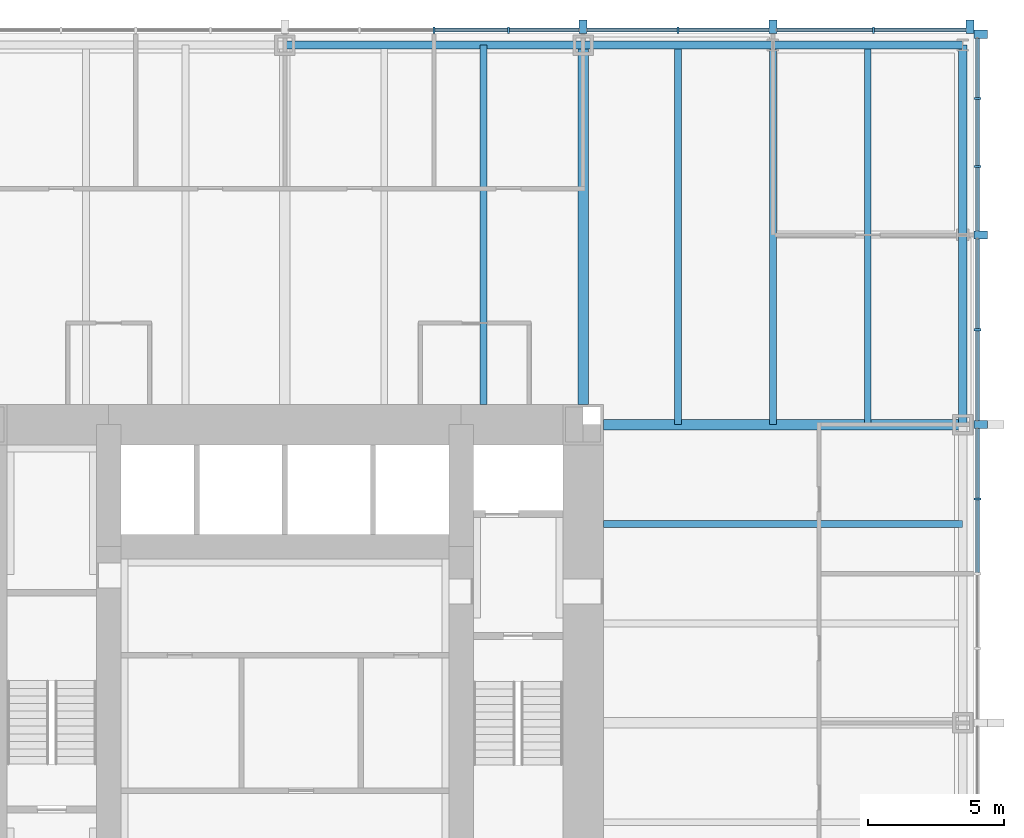
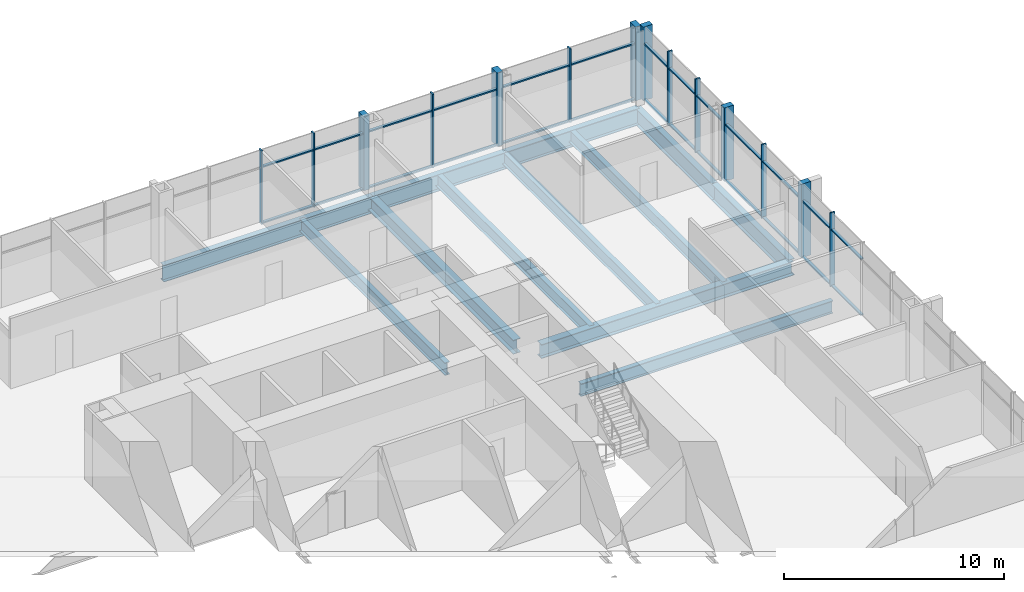
# One storey, part 6 of 12: 40 members, 12 beams, 2 elements without a shape of their own.
"""IFC4 building model written with IfcOpenShell, lengths in metres."""

from ifc_helpers import new_model, si_unit, direction, frame, origin, origin_2d, place, context, subcontext, project, spatial, rectangle, i_section, extrude, material, material_profile, profile_set, type_object, element, aggregate, save


model = new_model("IFC4")

# Units and contexts
model_context = context("Model", 3, precision=1e-05, world=origin(), true_north=direction((0.0, 1.0)))
body_context = subcontext(model_context, "Body", "Model", "MODEL_VIEW")
ifc_project = project(units=[si_unit("LENGTHUNIT", "METRE"), si_unit("AREAUNIT", "SQUARE_METRE"), si_unit("VOLUMEUNIT", "CUBIC_METRE"), si_unit("PLANEANGLEUNIT", "RADIAN"), si_unit("MASSUNIT", "GRAM", prefix="KILO")], contexts=[model_context])

# Site, building, storey
site_placement = place(None, origin())
site = spatial("IfcSite", under=ifc_project, at=site_placement, CompositionType="ELEMENT")
building_placement = place(site_placement, origin())
building = spatial("IfcBuilding", under=site, at=building_placement, Name="Trevanion Tower", CompositionType="ELEMENT")
storey_placement = place(building_placement, frame((0.0, 0.0, 73.39990234375)))
storey = spatial("IfcBuildingStorey", under=building, at=storey_placement, Name="L17", CompositionType="ELEMENT", Elevation=73.39990234375)

# Beams
ifc_material_1 = material(Name="Steel ASTM A992 Grade 50", Category="steel")
ifc_material_profile_1 = material_profile(ifc_material_1, i_section(OverallWidth=0.25390625, OverallDepth=0.700927734375, WebThickness=0.015380859375, FlangeThickness=0.02783203125, at=origin_2d()), Name="W27X129")
ifc_profile_set_1 = profile_set([ifc_material_profile_1], Name="Steel ASTM A992 Grade 50")
beam_type_1 = type_object("IfcBeamType", Name="B3 W27X129", PredefinedType="BEAM", material=ifc_profile_set_1)
for number, where, z_axis, x_axis, name in (
    (1, (11.75, 7.333251953125, -0.540283203125), (1.0, 0.0, 0.0), (0.0, 1.0, 0.0), "B3 L17"),
    (2, (7.333251953125, 11.75, -0.540283203125), (0.0, 1.0, 0.0), (-1.0, 0.0, 0.0), "B3 L17"),
):
    element("IfcBeam", number, at=place(storey_placement, frame(where, z_axis=z_axis, x_axis=x_axis)), inside=storey, type_object=beam_type_1, Name=name, PredefinedType="BEAM", context=body_context, shape_type="SweptSolid", body=[
        extrude(i_section(OverallWidth=0.25390625, OverallDepth=0.700927734375, WebThickness=0.015380859375, FlangeThickness=0.02783203125, at=origin_2d()), origin(), (0.0, 0.0, 1.0), 13.25),
    ])
ifc_material_2 = material(Name="Steel ASTM A992 Grade 50", Category="steel")
ifc_material_profile_2 = material_profile(ifc_material_2, i_section(OverallWidth=0.256591796875, OverallDepth=0.693359375, WebThickness=0.014404296875, FlangeThickness=0.023681640625, at=origin_2d()), Name="W27X114")
ifc_profile_set_2 = profile_set([ifc_material_profile_2], Name="Steel ASTM A992 Grade 50")
beam_type_2 = type_object("IfcBeamType", Name="B4 W27X114", PredefinedType="BEAM", material=ifc_profile_set_2)
for number, where, z_axis, x_axis, name in (
    (3, (14.5, 11.0, -0.53662109375), (0.0, 1.0, 0.0), (-1.0, 0.0, 0.0), "B4 L17"),
    (4, (18.0, 11.0, -0.53662109375), (0.0, 1.0, 0.0), (-1.0, 0.0, 0.0), "B4 L17"),
    (5, (21.5, 11.0, -0.53662109375), (0.0, 1.0, 0.0), (-1.0, 0.0, 0.0), "B4 L17"),
):
    element("IfcBeam", number, at=place(storey_placement, frame(where, z_axis=z_axis, x_axis=x_axis)), inside=storey, type_object=beam_type_2, Name=name, PredefinedType="BEAM", context=body_context, shape_type="SweptSolid", body=[
        extrude(i_section(OverallWidth=0.256591796875, OverallDepth=0.693359375, WebThickness=0.014404296875, FlangeThickness=0.023681640625, at=origin_2d()), origin(), (0.0, 0.0, 1.0), 14.0),
    ])

# Curtain wall, members
ifc_material_3 = material(Name="Aluminium and glass", Category="aluminium")
curtain_wall_type = type_object("IfcCurtainWallType", Name="CW1 curtain wall", PredefinedType="USERDEFINED", material=ifc_material_3)
curtain_wall_1_placement = place(storey_placement, origin())
curtain_wall_1 = element("IfcCurtainWall", 6, at=curtain_wall_1_placement, inside=storey, type_object=curtain_wall_type, Name="CW1 L17 0", ObjectType="UNITISED CURTAIN WALL", PredefinedType="USERDEFINED")
ifc_material_4 = material(Name="Aluminium extrusion, anodised bronze", Category="aluminium")
ifc_material_profile_3 = material_profile(ifc_material_4, rectangle(XDim=0.074951171875, YDim=0.25, at=origin_2d()), Name="CW1 mullion")
ifc_profile_set_3 = profile_set([ifc_material_profile_3], Name="Aluminium extrusion, anodised bronze")
member_type_1 = type_object("IfcMemberType", Name="CW1 mullion", PredefinedType="MULLION", material=ifc_profile_set_3)
member_1_placement = place(storey_placement, frame((25.550048828125, 8.25, -0.18994140625), z_axis=(0.0, 0.0, 1.0), x_axis=(0.0, 1.0, 0.0)))
member_1 = element("IfcMember", 7, at=member_1_placement, type_object=member_type_1, Name="CW1 mullion 12", PredefinedType="MULLION", context=body_context, shape_type="SweptSolid", body=[
    extrude(rectangle(XDim=0.074951171875, YDim=0.25, at=origin_2d()), origin(), (0.0, 0.0, 1.0), 4.10009765625),
])
member_2_placement = place(storey_placement, frame((25.550048828125, 14.5, -0.18994140625), z_axis=(0.0, 0.0, 1.0), x_axis=(0.0, 1.0, 0.0)))
member_2 = element("IfcMember", 8, at=member_2_placement, type_object=member_type_1, Name="CW1 mullion 14", PredefinedType="MULLION", context=body_context, shape_type="SweptSolid", body=[
    extrude(rectangle(XDim=0.074951171875, YDim=0.25, at=origin_2d()), origin(), (0.0, 0.0, 1.0), 4.10009765625),
])
member_3_placement = place(storey_placement, frame((25.550048828125, 20.5166015625, -0.18994140625), z_axis=(0.0, 0.0, 1.0), x_axis=(0.0, 1.0, 0.0)))
member_3 = element("IfcMember", 9, at=member_3_placement, type_object=member_type_1, Name="CW1 mullion 16", PredefinedType="MULLION", context=body_context, shape_type="SweptSolid", body=[
    extrude(rectangle(XDim=0.074951171875, YDim=0.25, at=origin_2d()), origin(), (0.0, 0.0, 1.0), 4.10009765625),
])
member_4_placement = place(storey_placement, frame((25.550048828125, 23.033203125, -0.18994140625), z_axis=(0.0, 0.0, 1.0), x_axis=(0.0, 1.0, 0.0)))
member_4 = element("IfcMember", 10, at=member_4_placement, type_object=member_type_1, Name="CW1 mullion 17", PredefinedType="MULLION", context=body_context, shape_type="SweptSolid", body=[
    extrude(rectangle(XDim=0.074951171875, YDim=0.25, at=origin_2d()), origin(), (0.0, 0.0, 1.0), 4.10009765625),
])

curtain_wall_2_placement = place(storey_placement, origin())
curtain_wall_2 = element("IfcCurtainWall", 11, at=curtain_wall_2_placement, inside=storey, type_object=curtain_wall_type, Name="CW1 L17 1", ObjectType="UNITISED CURTAIN WALL", PredefinedType="USERDEFINED")
member_5_placement = place(storey_placement, frame((21.7099609375, 25.550048828125, -0.18994140625), z_axis=(0.0, 0.0, 1.0), x_axis=(-1.0, 0.0, 0.0)))
member_5 = element("IfcMember", 12, at=member_5_placement, type_object=member_type_1, Name="CW1 mullion 2", PredefinedType="MULLION", context=body_context, shape_type="SweptSolid", body=[
    extrude(rectangle(XDim=0.074951171875, YDim=0.25, at=origin_2d()), origin(), (0.0, 0.0, 1.0), 4.10009765625),
])
member_6_placement = place(storey_placement, frame((14.5, 25.550048828125, -0.18994140625), z_axis=(0.0, 0.0, 1.0), x_axis=(-1.0, 0.0, 0.0)))
member_6 = element("IfcMember", 13, at=member_6_placement, type_object=member_type_1, Name="CW1 mullion 4", PredefinedType="MULLION", context=body_context, shape_type="SweptSolid", body=[
    extrude(rectangle(XDim=0.074951171875, YDim=0.25, at=origin_2d()), origin(), (0.0, 0.0, 1.0), 4.10009765625),
])
member_7_placement = place(storey_placement, frame((8.25, 25.550048828125, -0.18994140625), z_axis=(0.0, 0.0, 1.0), x_axis=(-1.0, 0.0, 0.0)))
member_7 = element("IfcMember", 14, at=member_7_placement, type_object=member_type_1, Name="CW1 mullion 6", PredefinedType="MULLION", context=body_context, shape_type="SweptSolid", body=[
    extrude(rectangle(XDim=0.074951171875, YDim=0.25, at=origin_2d()), origin(), (0.0, 0.0, 1.0), 4.10009765625),
])
member_8_placement = place(storey_placement, frame((5.5, 25.550048828125, -0.18994140625), z_axis=(0.0, 0.0, 1.0), x_axis=(-1.0, 0.0, 0.0)))
member_8 = element("IfcMember", 15, at=member_8_placement, type_object=member_type_1, Name="CW1 mullion 7", PredefinedType="MULLION", context=body_context, shape_type="SweptSolid", body=[
    extrude(rectangle(XDim=0.074951171875, YDim=0.25, at=origin_2d()), origin(), (0.0, 0.0, 1.0), 4.10009765625),
])

# Member
ifc_material_5 = material(Name="Aluminium extrusion, anodised bronze", Category="aluminium")
ifc_material_profile_4 = material_profile(ifc_material_5, rectangle(XDim=0.300048828125, YDim=0.5, at=origin_2d()), Name="CW1 pier mullion")
ifc_profile_set_4 = profile_set([ifc_material_profile_4], Name="Aluminium extrusion, anodised bronze")
member_type_2 = type_object("IfcMemberType", Name="CW1 pier mullion", PredefinedType="MULLION", material=ifc_profile_set_4)
member_9_placement = place(storey_placement, frame((25.675048828125, 11.0, -0.18994140625), z_axis=(0.0, 0.0, 1.0), x_axis=(0.0, 1.0, 0.0)))
member_9 = element("IfcMember", 16, at=member_9_placement, type_object=member_type_2, Name="CW1 pier mullion 13", PredefinedType="MULLION", context=body_context, shape_type="SweptSolid", body=[
    extrude(rectangle(XDim=0.300048828125, YDim=0.5, at=origin_2d()), origin(), (0.0, 0.0, 1.0), 4.10009765625),
])

member_10_placement = place(storey_placement, frame((25.675048828125, 18.0, -0.18994140625), z_axis=(0.0, 0.0, 1.0), x_axis=(0.0, 1.0, 0.0)))
member_10 = element("IfcMember", 17, at=member_10_placement, type_object=member_type_2, Name="CW1 pier mullion 15", PredefinedType="MULLION", context=body_context, shape_type="SweptSolid", body=[
    extrude(rectangle(XDim=0.300048828125, YDim=0.5, at=origin_2d()), origin(), (0.0, 0.0, 1.0), 4.10009765625),
])

member_11_placement = place(storey_placement, frame((25.675048828125, 25.39990234375, -0.18994140625), z_axis=(0.0, 0.0, 1.0), x_axis=(0.0, 1.0, 0.0)))
member_11 = element("IfcMember", 18, at=member_11_placement, type_object=member_type_2, Name="CW1 pier mullion 18", PredefinedType="MULLION", context=body_context, shape_type="SweptSolid", body=[
    extrude(rectangle(XDim=0.300048828125, YDim=0.5, at=origin_2d()), origin(), (0.0, 0.0, 1.0), 4.10009765625),
])

member_12_placement = place(storey_placement, frame((25.27001953125, 25.675048828125, -0.18994140625), z_axis=(0.0, 0.0, 1.0), x_axis=(-1.0, 0.0, 0.0)))
member_12 = element("IfcMember", 19, at=member_12_placement, type_object=member_type_2, Name="CW1 pier mullion 1", PredefinedType="MULLION", context=body_context, shape_type="SweptSolid", body=[
    extrude(rectangle(XDim=0.300048828125, YDim=0.5, at=origin_2d()), origin(), (0.0, 0.0, 1.0), 4.10009765625),
])

member_13_placement = place(storey_placement, frame((18.0, 25.675048828125, -0.18994140625), z_axis=(0.0, 0.0, 1.0), x_axis=(-1.0, 0.0, 0.0)))
member_13 = element("IfcMember", 20, at=member_13_placement, type_object=member_type_2, Name="CW1 pier mullion 3", PredefinedType="MULLION", context=body_context, shape_type="SweptSolid", body=[
    extrude(rectangle(XDim=0.300048828125, YDim=0.5, at=origin_2d()), origin(), (0.0, 0.0, 1.0), 4.10009765625),
])

member_14_placement = place(storey_placement, frame((11.0, 25.675048828125, -0.18994140625), z_axis=(0.0, 0.0, 1.0), x_axis=(-1.0, 0.0, 0.0)))
member_14 = element("IfcMember", 21, at=member_14_placement, type_object=member_type_2, Name="CW1 pier mullion 5", PredefinedType="MULLION", context=body_context, shape_type="SweptSolid", body=[
    extrude(rectangle(XDim=0.300048828125, YDim=0.5, at=origin_2d()), origin(), (0.0, 0.0, 1.0), 4.10009765625),
])

ifc_material_6 = material(Name="Aluminium extrusion, anodised bronze", Category="aluminium")
ifc_material_profile_5 = material_profile(ifc_material_6, rectangle(XDim=0.14990234375, YDim=0.074951171875, at=origin_2d()), Name="CW1 transom")
ifc_profile_set_5 = profile_set([ifc_material_profile_5], Name="Aluminium extrusion, anodised bronze")
member_type_3 = type_object("IfcMemberType", Name="CW1 transom", PredefinedType="USERDEFINED", material=ifc_profile_set_5)
member_15_placement = place(storey_placement, frame((25.550048828125, 5.53759765625, -0.15234375), z_axis=(0.0, 1.0, 0.0), x_axis=(-1.0, 0.0, 0.0)))
member_15 = element("IfcMember", 22, at=member_15_placement, type_object=member_type_3, Name="CW1 transom 11.1", ObjectType="TRANSOM", PredefinedType="USERDEFINED", context=body_context, shape_type="SweptSolid", body=[
    extrude(rectangle(XDim=0.14990234375, YDim=0.074951171875, at=origin_2d()), origin(), (0.0, 0.0, 1.0), 2.6748046875),
])

member_16_placement = place(storey_placement, frame((25.550048828125, 5.53759765625, 2.960205078125), z_axis=(0.0, 1.0, 0.0), x_axis=(-1.0, 0.0, 0.0)))
member_16 = element("IfcMember", 23, at=member_16_placement, type_object=member_type_3, Name="CW1 transom 11.2", ObjectType="TRANSOM", PredefinedType="USERDEFINED", context=body_context, shape_type="SweptSolid", body=[
    extrude(rectangle(XDim=0.14990234375, YDim=0.074951171875, at=origin_2d()), origin(), (0.0, 0.0, 1.0), 2.6748046875),
])

member_17_placement = place(storey_placement, frame((25.550048828125, 8.28759765625, -0.15234375), z_axis=(0.0, 1.0, 0.0), x_axis=(-1.0, 0.0, 0.0)))
member_17 = element("IfcMember", 24, at=member_17_placement, type_object=member_type_3, Name="CW1 transom 12.1", ObjectType="TRANSOM", PredefinedType="USERDEFINED", context=body_context, shape_type="SweptSolid", body=[
    extrude(rectangle(XDim=0.14990234375, YDim=0.074951171875, at=origin_2d()), origin(), (0.0, 0.0, 1.0), 2.5625),
])

member_18_placement = place(storey_placement, frame((25.550048828125, 8.28759765625, 2.960205078125), z_axis=(0.0, 1.0, 0.0), x_axis=(-1.0, 0.0, 0.0)))
member_18 = element("IfcMember", 25, at=member_18_placement, type_object=member_type_3, Name="CW1 transom 12.2", ObjectType="TRANSOM", PredefinedType="USERDEFINED", context=body_context, shape_type="SweptSolid", body=[
    extrude(rectangle(XDim=0.14990234375, YDim=0.074951171875, at=origin_2d()), origin(), (0.0, 0.0, 1.0), 2.5625),
])

member_19_placement = place(storey_placement, frame((25.550048828125, 11.14990234375, -0.15234375), z_axis=(0.0, 1.0, 0.0), x_axis=(-1.0, 0.0, 0.0)))
member_19 = element("IfcMember", 26, at=member_19_placement, type_object=member_type_3, Name="CW1 transom 13.1", ObjectType="TRANSOM", PredefinedType="USERDEFINED", context=body_context, shape_type="SweptSolid", body=[
    extrude(rectangle(XDim=0.14990234375, YDim=0.074951171875, at=origin_2d()), origin(), (0.0, 0.0, 1.0), 3.3125),
])

member_20_placement = place(storey_placement, frame((25.550048828125, 11.14990234375, 2.960205078125), z_axis=(0.0, 1.0, 0.0), x_axis=(-1.0, 0.0, 0.0)))
member_20 = element("IfcMember", 27, at=member_20_placement, type_object=member_type_3, Name="CW1 transom 13.2", ObjectType="TRANSOM", PredefinedType="USERDEFINED", context=body_context, shape_type="SweptSolid", body=[
    extrude(rectangle(XDim=0.14990234375, YDim=0.074951171875, at=origin_2d()), origin(), (0.0, 0.0, 1.0), 3.3125),
])

member_21_placement = place(storey_placement, frame((25.550048828125, 14.53759765625, -0.15234375), z_axis=(0.0, 1.0, 0.0), x_axis=(-1.0, 0.0, 0.0)))
member_21 = element("IfcMember", 28, at=member_21_placement, type_object=member_type_3, Name="CW1 transom 14.1", ObjectType="TRANSOM", PredefinedType="USERDEFINED", context=body_context, shape_type="SweptSolid", body=[
    extrude(rectangle(XDim=0.14990234375, YDim=0.074951171875, at=origin_2d()), origin(), (0.0, 0.0, 1.0), 3.3125),
])

member_22_placement = place(storey_placement, frame((25.550048828125, 14.53759765625, 2.960205078125), z_axis=(0.0, 1.0, 0.0), x_axis=(-1.0, 0.0, 0.0)))
member_22 = element("IfcMember", 29, at=member_22_placement, type_object=member_type_3, Name="CW1 transom 14.2", ObjectType="TRANSOM", PredefinedType="USERDEFINED", context=body_context, shape_type="SweptSolid", body=[
    extrude(rectangle(XDim=0.14990234375, YDim=0.074951171875, at=origin_2d()), origin(), (0.0, 0.0, 1.0), 3.3125),
])

member_23_placement = place(storey_placement, frame((25.550048828125, 18.14990234375, -0.15234375), z_axis=(0.0, 1.0, 0.0), x_axis=(-1.0, 0.0, 0.0)))
member_23 = element("IfcMember", 30, at=member_23_placement, type_object=member_type_3, Name="CW1 transom 15.1", ObjectType="TRANSOM", PredefinedType="USERDEFINED", context=body_context, shape_type="SweptSolid", body=[
    extrude(rectangle(XDim=0.14990234375, YDim=0.074951171875, at=origin_2d()), origin(), (0.0, 0.0, 1.0), 2.329345703125),
])

member_24_placement = place(storey_placement, frame((25.550048828125, 18.14990234375, 2.960205078125), z_axis=(0.0, 1.0, 0.0), x_axis=(-1.0, 0.0, 0.0)))
member_24 = element("IfcMember", 31, at=member_24_placement, type_object=member_type_3, Name="CW1 transom 15.2", ObjectType="TRANSOM", PredefinedType="USERDEFINED", context=body_context, shape_type="SweptSolid", body=[
    extrude(rectangle(XDim=0.14990234375, YDim=0.074951171875, at=origin_2d()), origin(), (0.0, 0.0, 1.0), 2.329345703125),
])

member_25_placement = place(storey_placement, frame((25.550048828125, 20.55419921875, -0.15234375), z_axis=(0.0, 1.0, 0.0), x_axis=(-1.0, 0.0, 0.0)))
member_25 = element("IfcMember", 32, at=member_25_placement, type_object=member_type_3, Name="CW1 transom 16.1", ObjectType="TRANSOM", PredefinedType="USERDEFINED", context=body_context, shape_type="SweptSolid", body=[
    extrude(rectangle(XDim=0.14990234375, YDim=0.074951171875, at=origin_2d()), origin(), (0.0, 0.0, 1.0), 2.441650390625),
])

member_26_placement = place(storey_placement, frame((25.550048828125, 20.55419921875, 2.960205078125), z_axis=(0.0, 1.0, 0.0), x_axis=(-1.0, 0.0, 0.0)))
member_26 = element("IfcMember", 33, at=member_26_placement, type_object=member_type_3, Name="CW1 transom 16.2", ObjectType="TRANSOM", PredefinedType="USERDEFINED", context=body_context, shape_type="SweptSolid", body=[
    extrude(rectangle(XDim=0.14990234375, YDim=0.074951171875, at=origin_2d()), origin(), (0.0, 0.0, 1.0), 2.441650390625),
])

member_27_placement = place(storey_placement, frame((25.550048828125, 23.07080078125, -0.15234375), z_axis=(0.0, 1.0, 0.0), x_axis=(-1.0, 0.0, 0.0)))
member_27 = element("IfcMember", 34, at=member_27_placement, type_object=member_type_3, Name="CW1 transom 17.1", ObjectType="TRANSOM", PredefinedType="USERDEFINED", context=body_context, shape_type="SweptSolid", body=[
    extrude(rectangle(XDim=0.14990234375, YDim=0.074951171875, at=origin_2d()), origin(), (0.0, 0.0, 1.0), 2.17919921875),
])

member_28_placement = place(storey_placement, frame((25.550048828125, 23.07080078125, 2.960205078125), z_axis=(0.0, 1.0, 0.0), x_axis=(-1.0, 0.0, 0.0)))
member_28 = element("IfcMember", 35, at=member_28_placement, type_object=member_type_3, Name="CW1 transom 17.2", ObjectType="TRANSOM", PredefinedType="USERDEFINED", context=body_context, shape_type="SweptSolid", body=[
    extrude(rectangle(XDim=0.14990234375, YDim=0.074951171875, at=origin_2d()), origin(), (0.0, 0.0, 1.0), 2.17919921875),
])

aggregate(curtain_wall_1, [member_1, member_9, member_2, member_10, member_3, member_4, member_11, member_15, member_16, member_17, member_18, member_19, member_20, member_21, member_22, member_23, member_24, member_25, member_26, member_27, member_28])

member_29_placement = place(storey_placement, frame((25.1201171875, 25.550048828125, -0.15234375), z_axis=(-1.0, 0.0, 0.0), x_axis=(0.0, -1.0, 0.0)))
member_29 = element("IfcMember", 36, at=member_29_placement, type_object=member_type_3, Name="CW1 transom 1.1", ObjectType="TRANSOM", PredefinedType="USERDEFINED", context=body_context, shape_type="SweptSolid", body=[
    extrude(rectangle(XDim=0.14990234375, YDim=0.074951171875, at=origin_2d()), origin(), (0.0, 0.0, 1.0), 3.37255859375),
])

member_30_placement = place(storey_placement, frame((25.1201171875, 25.550048828125, 2.960205078125), z_axis=(-1.0, 0.0, 0.0), x_axis=(0.0, -1.0, 0.0)))
member_30 = element("IfcMember", 37, at=member_30_placement, type_object=member_type_3, Name="CW1 transom 1.2", ObjectType="TRANSOM", PredefinedType="USERDEFINED", context=body_context, shape_type="SweptSolid", body=[
    extrude(rectangle(XDim=0.14990234375, YDim=0.074951171875, at=origin_2d()), origin(), (0.0, 0.0, 1.0), 3.37255859375),
])

member_31_placement = place(storey_placement, frame((21.672607421875, 25.550048828125, -0.15234375), z_axis=(-1.0, 0.0, 0.0), x_axis=(0.0, -1.0, 0.0)))
member_31 = element("IfcMember", 38, at=member_31_placement, type_object=member_type_3, Name="CW1 transom 2.1", ObjectType="TRANSOM", PredefinedType="USERDEFINED", context=body_context, shape_type="SweptSolid", body=[
    extrude(rectangle(XDim=0.14990234375, YDim=0.074951171875, at=origin_2d()), origin(), (0.0, 0.0, 1.0), 3.522705078125),
])

member_32_placement = place(storey_placement, frame((21.672607421875, 25.550048828125, 2.960205078125), z_axis=(-1.0, 0.0, 0.0), x_axis=(0.0, -1.0, 0.0)))
member_32 = element("IfcMember", 39, at=member_32_placement, type_object=member_type_3, Name="CW1 transom 2.2", ObjectType="TRANSOM", PredefinedType="USERDEFINED", context=body_context, shape_type="SweptSolid", body=[
    extrude(rectangle(XDim=0.14990234375, YDim=0.074951171875, at=origin_2d()), origin(), (0.0, 0.0, 1.0), 3.522705078125),
])

member_33_placement = place(storey_placement, frame((17.85009765625, 25.550048828125, -0.15234375), z_axis=(-1.0, 0.0, 0.0), x_axis=(0.0, -1.0, 0.0)))
member_33 = element("IfcMember", 40, at=member_33_placement, type_object=member_type_3, Name="CW1 transom 3.1", ObjectType="TRANSOM", PredefinedType="USERDEFINED", context=body_context, shape_type="SweptSolid", body=[
    extrude(rectangle(XDim=0.14990234375, YDim=0.074951171875, at=origin_2d()), origin(), (0.0, 0.0, 1.0), 3.3125),
])

member_34_placement = place(storey_placement, frame((17.85009765625, 25.550048828125, 2.960205078125), z_axis=(-1.0, 0.0, 0.0), x_axis=(0.0, -1.0, 0.0)))
member_34 = element("IfcMember", 41, at=member_34_placement, type_object=member_type_3, Name="CW1 transom 3.2", ObjectType="TRANSOM", PredefinedType="USERDEFINED", context=body_context, shape_type="SweptSolid", body=[
    extrude(rectangle(XDim=0.14990234375, YDim=0.074951171875, at=origin_2d()), origin(), (0.0, 0.0, 1.0), 3.3125),
])

member_35_placement = place(storey_placement, frame((14.46240234375, 25.550048828125, -0.15234375), z_axis=(-1.0, 0.0, 0.0), x_axis=(0.0, -1.0, 0.0)))
member_35 = element("IfcMember", 42, at=member_35_placement, type_object=member_type_3, Name="CW1 transom 4.1", ObjectType="TRANSOM", PredefinedType="USERDEFINED", context=body_context, shape_type="SweptSolid", body=[
    extrude(rectangle(XDim=0.14990234375, YDim=0.074951171875, at=origin_2d()), origin(), (0.0, 0.0, 1.0), 3.3125),
])

member_36_placement = place(storey_placement, frame((14.46240234375, 25.550048828125, 2.960205078125), z_axis=(-1.0, 0.0, 0.0), x_axis=(0.0, -1.0, 0.0)))
member_36 = element("IfcMember", 43, at=member_36_placement, type_object=member_type_3, Name="CW1 transom 4.2", ObjectType="TRANSOM", PredefinedType="USERDEFINED", context=body_context, shape_type="SweptSolid", body=[
    extrude(rectangle(XDim=0.14990234375, YDim=0.074951171875, at=origin_2d()), origin(), (0.0, 0.0, 1.0), 3.3125),
])

member_37_placement = place(storey_placement, frame((10.85009765625, 25.550048828125, -0.15234375), z_axis=(-1.0, 0.0, 0.0), x_axis=(0.0, -1.0, 0.0)))
member_37 = element("IfcMember", 44, at=member_37_placement, type_object=member_type_3, Name="CW1 transom 5.1", ObjectType="TRANSOM", PredefinedType="USERDEFINED", context=body_context, shape_type="SweptSolid", body=[
    extrude(rectangle(XDim=0.14990234375, YDim=0.074951171875, at=origin_2d()), origin(), (0.0, 0.0, 1.0), 2.5625),
])

member_38_placement = place(storey_placement, frame((10.85009765625, 25.550048828125, 2.960205078125), z_axis=(-1.0, 0.0, 0.0), x_axis=(0.0, -1.0, 0.0)))
member_38 = element("IfcMember", 45, at=member_38_placement, type_object=member_type_3, Name="CW1 transom 5.2", ObjectType="TRANSOM", PredefinedType="USERDEFINED", context=body_context, shape_type="SweptSolid", body=[
    extrude(rectangle(XDim=0.14990234375, YDim=0.074951171875, at=origin_2d()), origin(), (0.0, 0.0, 1.0), 2.5625),
])

member_39_placement = place(storey_placement, frame((8.21240234375, 25.550048828125, -0.15234375), z_axis=(-1.0, 0.0, 0.0), x_axis=(0.0, -1.0, 0.0)))
member_39 = element("IfcMember", 46, at=member_39_placement, type_object=member_type_3, Name="CW1 transom 6.1", ObjectType="TRANSOM", PredefinedType="USERDEFINED", context=body_context, shape_type="SweptSolid", body=[
    extrude(rectangle(XDim=0.14990234375, YDim=0.074951171875, at=origin_2d()), origin(), (0.0, 0.0, 1.0), 2.6748046875),
])

member_40_placement = place(storey_placement, frame((8.21240234375, 25.550048828125, 2.960205078125), z_axis=(-1.0, 0.0, 0.0), x_axis=(0.0, -1.0, 0.0)))
member_40 = element("IfcMember", 47, at=member_40_placement, type_object=member_type_3, Name="CW1 transom 6.2", ObjectType="TRANSOM", PredefinedType="USERDEFINED", context=body_context, shape_type="SweptSolid", body=[
    extrude(rectangle(XDim=0.14990234375, YDim=0.074951171875, at=origin_2d()), origin(), (0.0, 0.0, 1.0), 2.6748046875),
])

aggregate(curtain_wall_2, [member_12, member_5, member_13, member_6, member_14, member_7, member_8, member_29, member_30, member_31, member_32, member_33, member_34, member_35, member_36, member_37, member_38, member_39, member_40])

# Beams
ifc_material_7 = material(Name="Steel ASTM A992 Grade 50", Category="steel")
ifc_material_profile_6 = material_profile(ifc_material_7, i_section(OverallWidth=0.381103515625, OverallDepth=0.77978515625, WebThickness=0.01806640625, FlangeThickness=0.0302734375, at=origin_2d()), Name="W30X191")
ifc_profile_set_6 = profile_set([ifc_material_profile_6], Name="Steel ASTM A992 Grade 50")
beam_type_3 = type_object("IfcBeamType", Name="G2 W30X191", PredefinedType="BEAM", material=ifc_profile_set_6)
for number, where, z_axis, x_axis, name in (
    (48, (11.75, 11.0, -0.579833984375), (1.0, 0.0, 0.0), (0.0, 1.0, 0.0), "G2 L17"),
    (49, (11.0, 11.75, -0.579833984375), (0.0, 1.0, 0.0), (-1.0, 0.0, 0.0), "G2 L17"),
):
    element("IfcBeam", number, at=place(storey_placement, frame(where, z_axis=z_axis, x_axis=x_axis)), inside=storey, type_object=beam_type_3, Name=name, PredefinedType="BEAM", context=body_context, shape_type="SweptSolid", body=[
        extrude(i_section(OverallWidth=0.381103515625, OverallDepth=0.77978515625, WebThickness=0.01806640625, FlangeThickness=0.0302734375, at=origin_2d()), origin(), (0.0, 0.0, 1.0), 13.25),
    ])
ifc_material_8 = material(Name="Steel ASTM A992 Grade 50", Category="steel")
ifc_material_profile_7 = material_profile(ifc_material_8, i_section(OverallWidth=0.307373046875, OverallDepth=0.927001953125, WebThickness=0.01953125, FlangeThickness=0.031982421875, at=origin_2d()), Name="W36X194")
ifc_profile_set_7 = profile_set([ifc_material_profile_7], Name="Steel ASTM A992 Grade 50")
beam_type_4 = type_object("IfcBeamType", Name="SB2 W36X194", PredefinedType="SPANDREL", material=ifc_profile_set_7)
for number, where, z_axis, x_axis, name in (
    (50, (25.0, 11.0, -0.6533203125), (0.0, 1.0, 0.0), (-1.0, 0.0, 0.0), "SB2 L17"),
    (51, (25.0, 18.0, -0.6533203125), (0.0, 1.0, 0.0), (-1.0, 0.0, 0.0), "SB2 L17"),
    (52, (25.0, 25.0, -0.6533203125), (-1.0, 0.0, 0.0), (0.0, -1.0, 0.0), "SB2 L17"),
    (53, (18.0, 25.0, -0.6533203125), (-1.0, 0.0, 0.0), (0.0, -1.0, 0.0), "SB2 L17"),
):
    element("IfcBeam", number, at=place(storey_placement, frame(where, z_axis=z_axis, x_axis=x_axis)), inside=storey, type_object=beam_type_4, Name=name, PredefinedType="SPANDREL", context=body_context, shape_type="SweptSolid", body=[
        extrude(i_section(OverallWidth=0.307373046875, OverallDepth=0.927001953125, WebThickness=0.01953125, FlangeThickness=0.031982421875, at=origin_2d()), origin(), (0.0, 0.0, 1.0), 7.0),
    ])
beam_placement = place(storey_placement, frame((11.0, 25.0, -0.6533203125), z_axis=(-1.0, 0.0, 0.0), x_axis=(0.0, -1.0, 0.0)))
element("IfcBeam", 54, at=beam_placement, inside=storey, type_object=beam_type_4, Name="SB2 L17", PredefinedType="SPANDREL", context=body_context, shape_type="SweptSolid", body=[
    extrude(i_section(OverallWidth=0.307373046875, OverallDepth=0.927001953125, WebThickness=0.01953125, FlangeThickness=0.031982421875, at=origin_2d()), origin(), (0.0, 0.0, 1.0), 11.0),
])

save(model, "model.ifc")
